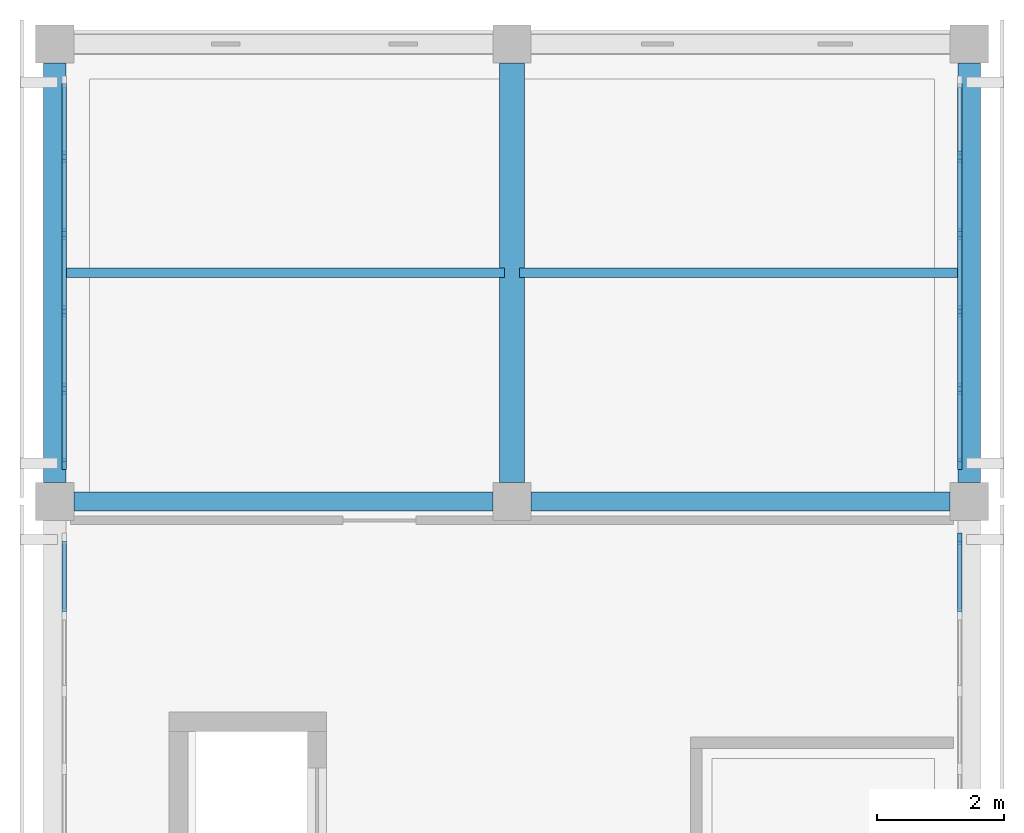
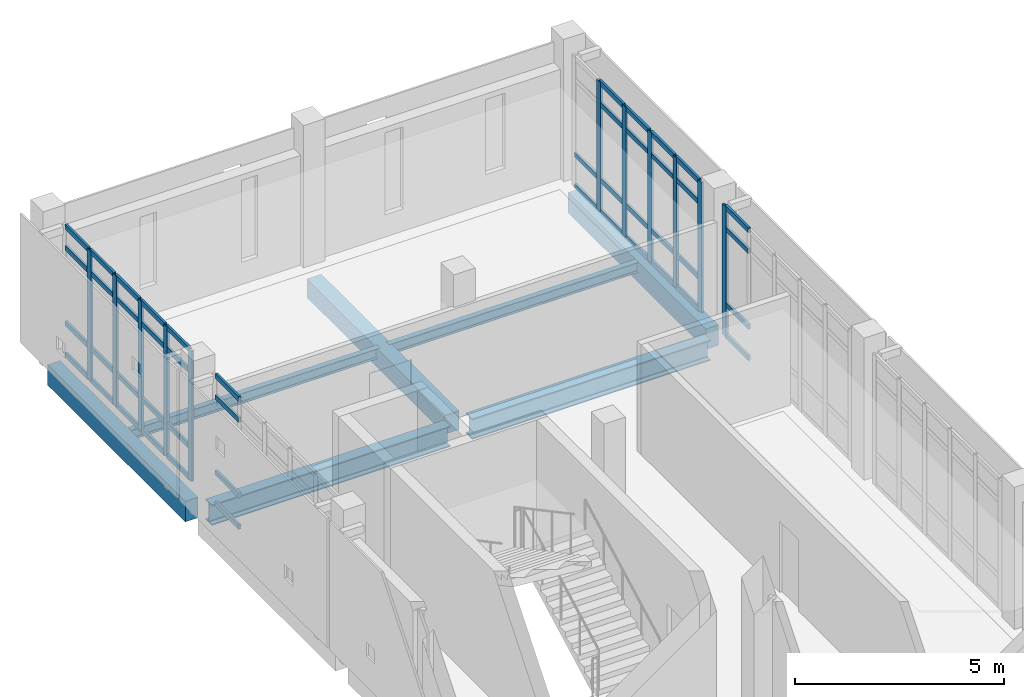
# One storey, part 9 of 21: 57 members, 7 beams, 4 elements without a shape of their own.
"""IFC4 building model written with IfcOpenShell, lengths in metres."""

from ifc_helpers import new_model, si_unit, direction, frame, origin, origin_2d, place, context, subcontext, project, spatial, rectangle, i_section, extrude, material, layer, layer_set, material_profile, profile_set, type_object, element, aggregate, save


model = new_model("IFC4")

# Units and contexts
model_context = context("Model", 3, precision=1e-05, world=origin(), true_north=direction((0.0, 1.0)))
body_context = subcontext(model_context, "Body", "Model", "MODEL_VIEW")
ifc_project = project(units=[si_unit("LENGTHUNIT", "METRE"), si_unit("AREAUNIT", "SQUARE_METRE"), si_unit("VOLUMEUNIT", "CUBIC_METRE"), si_unit("PLANEANGLEUNIT", "RADIAN"), si_unit("MASSUNIT", "GRAM", prefix="KILO")], contexts=[model_context])

# Site, building, storey
site_placement = place(None, origin())
site = spatial("IfcSite", under=ifc_project, at=site_placement, CompositionType="ELEMENT")
building_placement = place(site_placement, origin())
building = spatial("IfcBuilding", under=site, at=building_placement, Name="Valkovuoma Quantum and Materials Research Institute", CompositionType="ELEMENT")
storey_placement = place(building_placement, frame((0.0, 0.0, 33.919921875)))
storey = spatial("IfcBuildingStorey", under=building, at=storey_placement, Name="L08", CompositionType="ELEMENT", Elevation=33.919921875)

# Beams
ifc_material_1 = material(Name="Steel S355J2", Category="steel")
ifc_material_profile_1 = material_profile(ifc_material_1, i_section(OverallWidth=0.300048828125, OverallDepth=0.60009765625, WebThickness=0.015380859375, FlangeThickness=0.030029296875, FilletRadius=0.027099609375, at=origin_2d()), Name="Steel S355J2")
ifc_profile_set_1 = profile_set([ifc_material_profile_1], Name="Steel S355J2")
beam_type_1 = type_object("IfcBeamType", Name="Beam-B-HEB600", PredefinedType="BEAM", material=ifc_profile_set_1)
beam_1_placement = place(storey_placement, frame((0.300048828125, 86.39990234375, -0.64990234375), z_axis=(1.0, 0.0, 0.0), x_axis=(0.0, 1.0, 0.0)))
element("IfcBeam", 1, at=beam_1_placement, inside=storey, type_object=beam_type_1, Name="L08 beam X-2544", PredefinedType="BEAM", context=body_context, shape_type="SweptSolid", body=[
    extrude(i_section(OverallWidth=0.300048828125, OverallDepth=0.60009765625, WebThickness=0.015380859375, FlangeThickness=0.030029296875, FilletRadius=0.027099609375, at=origin_2d()), origin(), (0.0, 0.0, 1.0), 6.599853515625),
])
beam_2_placement = place(storey_placement, frame((7.5, 86.39990234375, -0.64990234375), z_axis=(1.0, 0.0, 0.0), x_axis=(0.0, 1.0, 0.0)))
element("IfcBeam", 2, at=beam_2_placement, inside=storey, type_object=beam_type_1, Name="L08 beam X-2545", PredefinedType="BEAM", context=body_context, shape_type="SweptSolid", body=[
    extrude(i_section(OverallWidth=0.300048828125, OverallDepth=0.60009765625, WebThickness=0.015380859375, FlangeThickness=0.030029296875, FilletRadius=0.027099609375, at=origin_2d()), origin(), (0.0, 0.0, 1.0), 6.60009765625),
])
ifc_material_2 = material(Name="Steel S355J2", Category="steel")
ifc_material_profile_2 = material_profile(ifc_material_2, i_section(OverallWidth=0.14990234375, OverallDepth=0.300048828125, WebThickness=0.007080078125, FlangeThickness=0.0107421875, FilletRadius=0.014892578125, at=origin_2d()), Name="Steel S355J2")
ifc_profile_set_2 = profile_set([ifc_material_profile_2], Name="Steel S355J2")
beam_type_2 = type_object("IfcBeamType", Name="Beam-B-JST300", PredefinedType="JOIST", material=ifc_profile_set_2)
for number, where, z_axis, x_axis, name in (
    (3, (0.1201171875, 90.0, -0.5), (1.0, 0.0, 0.0), (0.0, 1.0, 0.0), "L08 floor joist 2570"),
    (4, (7.320068359375, 90.0, -0.5), (1.0, 0.0, 0.0), (0.0, 1.0, 0.0), "L08 floor joist 2571"),
):
    element("IfcBeam", number, at=place(storey_placement, frame(where, z_axis=z_axis, x_axis=x_axis)), inside=storey, type_object=beam_type_2, Name=name, PredefinedType="JOIST", context=body_context, shape_type="SweptSolid", body=[
        extrude(i_section(OverallWidth=0.14990234375, OverallDepth=0.300048828125, WebThickness=0.007080078125, FlangeThickness=0.0107421875, FilletRadius=0.014892578125, at=origin_2d()), origin(), (0.0, 0.0, 1.0), 6.9599609375),
    ])
ifc_material_3 = material(Name="Concrete C40/50", Category="concrete")
ifc_material_profile_3 = material_profile(ifc_material_3, rectangle(XDim=0.39990234375, YDim=0.550048828125, at=origin_2d()), Name="Concrete C40/50")
ifc_profile_set_3 = profile_set([ifc_material_profile_3], Name="Concrete C40/50")
beam_type_3 = type_object("IfcBeamType", Name="Beam-B-RC550", PredefinedType="BEAM", material=ifc_profile_set_3)
beam_3_placement = place(storey_placement, frame((7.199951171875, 86.699951171875, -0.625), z_axis=(0.0, 1.0, 0.0), x_axis=(-1.0, 0.0, 0.0)))
element("IfcBeam", 5, at=beam_3_placement, inside=storey, type_object=beam_type_3, Name="L08 beam Y-2555", PredefinedType="BEAM", context=body_context, shape_type="SweptSolid", body=[
    extrude(rectangle(XDim=0.39990234375, YDim=0.550048828125, at=origin_2d()), origin(), (0.0, 0.0, 1.0), 6.60009765625),
])
ifc_material_4 = material(Name="Concrete C40/50", Category="concrete")
ifc_material_profile_4 = material_profile(ifc_material_4, rectangle(XDim=0.35009765625, YDim=0.60009765625, at=origin_2d()), Name="Concrete C40/50")
ifc_profile_set_4 = profile_set([ifc_material_profile_4], Name="Concrete C40/50")
beam_type_4 = type_object("IfcBeamType", Name="Beam-B-SPN600", PredefinedType="SPANDREL", material=ifc_profile_set_4)
for number, where, z_axis, x_axis, name in (
    (6, (0.0, 86.699951171875, -0.64990234375), (0.0, 1.0, 0.0), (-1.0, 0.0, 0.0), "L08 beam Y-2552"),
    (7, (14.39990234375, 86.699951171875, -0.64990234375), (0.0, 1.0, 0.0), (-1.0, 0.0, 0.0), "L08 beam Y-2560"),
):
    element("IfcBeam", number, at=place(storey_placement, frame(where, z_axis=z_axis, x_axis=x_axis)), inside=storey, type_object=beam_type_4, Name=name, PredefinedType="SPANDREL", context=body_context, shape_type="SweptSolid", body=[
        extrude(rectangle(XDim=0.35009765625, YDim=0.60009765625, at=origin_2d()), origin(), (0.0, 0.0, 1.0), 6.60009765625),
    ])

# Curtain wall, member
ifc_material_5 = material(Name="Thermally broken aluminium and triple low-E glazing", Category="aluminium")
ifc_layer = layer(ifc_material_5, 0.219970703125)
ifc_layer_set = layer_set([ifc_layer], Name="Thermally broken aluminium and triple low-E glazing")
curtain_wall_type = type_object("IfcCurtainWallType", Name="CW-CW-01", PredefinedType="NOTDEFINED", material=ifc_layer_set)
curtain_wall_1_placement = place(storey_placement, origin())
curtain_wall_1 = element("IfcCurtainWall", 8, at=curtain_wall_1_placement, inside=storey, type_object=curtain_wall_type, Name="L08 curtain wall 124", PredefinedType="NOTDEFINED")
ifc_material_6 = material(Name="Anodised aluminium 6060-T66", Category="aluminium")
ifc_material_profile_5 = material_profile(ifc_material_6, rectangle(XDim=0.06494140625, YDim=0.179931640625, at=origin_2d()), Name="Anodised aluminium 6060-T66")
ifc_profile_set_5 = profile_set([ifc_material_profile_5], Name="Anodised aluminium 6060-T66")
member_type_1 = type_object("IfcMemberType", Name="CWMull-CWM-01", PredefinedType="MULLION", material=ifc_profile_set_5)
member_1_placement = place(storey_placement, frame((14.25, 85.810302734375, 0.0), z_axis=(0.0, 0.0, 1.0), x_axis=(-1.0, 0.0, 0.0)))
member_1 = element("IfcMember", 9, at=member_1_placement, type_object=member_type_1, Name="CW-01 mullion 6", PredefinedType="MULLION", context=body_context, shape_type="SweptSolid", body=[
    extrude(rectangle(XDim=0.06494140625, YDim=0.179931640625, at=origin_2d()), origin(), (0.0, 0.0, 1.0), 3.81005859375),
])

# Curtain wall, members
curtain_wall_2_placement = place(storey_placement, origin())
curtain_wall_2 = element("IfcCurtainWall", 10, at=curtain_wall_2_placement, inside=storey, type_object=curtain_wall_type, Name="L08 curtain wall 125", PredefinedType="NOTDEFINED")
member_2_placement = place(storey_placement, frame((0.14990234375, 86.989501953125, 0.0), z_axis=(0.0, 0.0, 1.0), x_axis=(-1.0, 0.0, 0.0)))
member_2 = element("IfcMember", 11, at=member_2_placement, type_object=member_type_1, Name="CW-01 mullion 1", PredefinedType="MULLION", context=body_context, shape_type="SweptSolid", body=[
    extrude(rectangle(XDim=0.06494140625, YDim=0.179931640625, at=origin_2d()), origin(), (0.0, 0.0, 1.0), 3.81005859375),
])
member_3_placement = place(storey_placement, frame((0.14990234375, 88.17431640625, 0.0), z_axis=(0.0, 0.0, 1.0), x_axis=(-1.0, 0.0, 0.0)))
member_3 = element("IfcMember", 12, at=member_3_placement, type_object=member_type_1, Name="CW-01 mullion 2", PredefinedType="MULLION", context=body_context, shape_type="SweptSolid", body=[
    extrude(rectangle(XDim=0.06494140625, YDim=0.179931640625, at=origin_2d()), origin(), (0.0, 0.0, 1.0), 3.81005859375),
])
member_4_placement = place(storey_placement, frame((0.14990234375, 89.391357421875, 0.0), z_axis=(0.0, 0.0, 1.0), x_axis=(-1.0, 0.0, 0.0)))
member_4 = element("IfcMember", 13, at=member_4_placement, type_object=member_type_1, Name="CW-01 mullion 3", PredefinedType="MULLION", context=body_context, shape_type="SweptSolid", body=[
    extrude(rectangle(XDim=0.06494140625, YDim=0.179931640625, at=origin_2d()), origin(), (0.0, 0.0, 1.0), 3.81005859375),
])
member_5_placement = place(storey_placement, frame((0.14990234375, 90.608642578125, 0.0), z_axis=(0.0, 0.0, 1.0), x_axis=(-1.0, 0.0, 0.0)))
member_5 = element("IfcMember", 14, at=member_5_placement, type_object=member_type_1, Name="CW-01 mullion 4", PredefinedType="MULLION", context=body_context, shape_type="SweptSolid", body=[
    extrude(rectangle(XDim=0.06494140625, YDim=0.179931640625, at=origin_2d()), origin(), (0.0, 0.0, 1.0), 3.81005859375),
])
member_6_placement = place(storey_placement, frame((0.14990234375, 91.82568359375, 0.0), z_axis=(0.0, 0.0, 1.0), x_axis=(-1.0, 0.0, 0.0)))
member_6 = element("IfcMember", 15, at=member_6_placement, type_object=member_type_1, Name="CW-01 mullion 5", PredefinedType="MULLION", context=body_context, shape_type="SweptSolid", body=[
    extrude(rectangle(XDim=0.06494140625, YDim=0.179931640625, at=origin_2d()), origin(), (0.0, 0.0, 1.0), 3.81005859375),
])

curtain_wall_3_placement = place(storey_placement, origin())
curtain_wall_3 = element("IfcCurtainWall", 16, at=curtain_wall_3_placement, inside=storey, type_object=curtain_wall_type, Name="L08 curtain wall 126", PredefinedType="NOTDEFINED")
member_7_placement = place(storey_placement, frame((14.25, 86.989501953125, 0.0), z_axis=(0.0, 0.0, 1.0), x_axis=(-1.0, 0.0, 0.0)))
member_7 = element("IfcMember", 17, at=member_7_placement, type_object=member_type_1, Name="CW-01 mullion 1", PredefinedType="MULLION", context=body_context, shape_type="SweptSolid", body=[
    extrude(rectangle(XDim=0.06494140625, YDim=0.179931640625, at=origin_2d()), origin(), (0.0, 0.0, 1.0), 3.81005859375),
])
member_8_placement = place(storey_placement, frame((14.25, 88.17431640625, 0.0), z_axis=(0.0, 0.0, 1.0), x_axis=(-1.0, 0.0, 0.0)))
member_8 = element("IfcMember", 18, at=member_8_placement, type_object=member_type_1, Name="CW-01 mullion 2", PredefinedType="MULLION", context=body_context, shape_type="SweptSolid", body=[
    extrude(rectangle(XDim=0.06494140625, YDim=0.179931640625, at=origin_2d()), origin(), (0.0, 0.0, 1.0), 3.81005859375),
])
member_9_placement = place(storey_placement, frame((14.25, 89.391357421875, 0.0), z_axis=(0.0, 0.0, 1.0), x_axis=(-1.0, 0.0, 0.0)))
member_9 = element("IfcMember", 19, at=member_9_placement, type_object=member_type_1, Name="CW-01 mullion 3", PredefinedType="MULLION", context=body_context, shape_type="SweptSolid", body=[
    extrude(rectangle(XDim=0.06494140625, YDim=0.179931640625, at=origin_2d()), origin(), (0.0, 0.0, 1.0), 3.81005859375),
])
member_10_placement = place(storey_placement, frame((14.25, 90.608642578125, 0.0), z_axis=(0.0, 0.0, 1.0), x_axis=(-1.0, 0.0, 0.0)))
member_10 = element("IfcMember", 20, at=member_10_placement, type_object=member_type_1, Name="CW-01 mullion 4", PredefinedType="MULLION", context=body_context, shape_type="SweptSolid", body=[
    extrude(rectangle(XDim=0.06494140625, YDim=0.179931640625, at=origin_2d()), origin(), (0.0, 0.0, 1.0), 3.81005859375),
])
member_11_placement = place(storey_placement, frame((14.25, 91.82568359375, 0.0), z_axis=(0.0, 0.0, 1.0), x_axis=(-1.0, 0.0, 0.0)))
member_11 = element("IfcMember", 21, at=member_11_placement, type_object=member_type_1, Name="CW-01 mullion 5", PredefinedType="MULLION", context=body_context, shape_type="SweptSolid", body=[
    extrude(rectangle(XDim=0.06494140625, YDim=0.179931640625, at=origin_2d()), origin(), (0.0, 0.0, 1.0), 3.81005859375),
])

curtain_wall_4_placement = place(storey_placement, origin())
curtain_wall_4 = element("IfcCurtainWall", 22, at=curtain_wall_4_placement, inside=storey, type_object=curtain_wall_type, Name="L08 curtain wall 123", PredefinedType="NOTDEFINED")
ifc_material_7 = material(Name="Anodised aluminium 6060-T66", Category="aluminium")
ifc_material_profile_6 = material_profile(ifc_material_7, rectangle(XDim=0.06494140625, YDim=0.139892578125, at=origin_2d()), Name="Anodised aluminium 6060-T66")
ifc_profile_set_6 = profile_set([ifc_material_profile_6], Name="Anodised aluminium 6060-T66")
member_type_2 = type_object("IfcMemberType", Name="CWTran-CWT-01", PredefinedType="USERDEFINED", material=ifc_profile_set_6)
member_12_placement = place(storey_placement, frame((0.14990234375, 84.658203125, 0.032470703125), z_axis=(0.0, 1.0, 0.0), x_axis=(-1.0, 0.0, 0.0)))
member_12 = element("IfcMember", 23, at=member_12_placement, type_object=member_type_2, Name="CW-01 transom 5.1", ObjectType="TRANSOM", PredefinedType="USERDEFINED", context=body_context, shape_type="SweptSolid", body=[
    extrude(rectangle(XDim=0.06494140625, YDim=0.139892578125, at=origin_2d()), origin(), (0.0, 0.0, 1.0), 1.11962890625),
])
member_13_placement = place(storey_placement, frame((0.14990234375, 84.658203125, 0.9501953125), z_axis=(0.0, 1.0, 0.0), x_axis=(-1.0, 0.0, 0.0)))
member_13 = element("IfcMember", 24, at=member_13_placement, type_object=member_type_2, Name="CW-01 transom 5.2", ObjectType="TRANSOM", PredefinedType="USERDEFINED", context=body_context, shape_type="SweptSolid", body=[
    extrude(rectangle(XDim=0.06494140625, YDim=0.139892578125, at=origin_2d()), origin(), (0.0, 0.0, 1.0), 1.11962890625),
])
member_14_placement = place(storey_placement, frame((0.14990234375, 84.658203125, 3.16015625), z_axis=(0.0, 1.0, 0.0), x_axis=(-1.0, 0.0, 0.0)))
member_14 = element("IfcMember", 25, at=member_14_placement, type_object=member_type_2, Name="CW-01 transom 5.3", ObjectType="TRANSOM", PredefinedType="USERDEFINED", context=body_context, shape_type="SweptSolid", body=[
    extrude(rectangle(XDim=0.06494140625, YDim=0.139892578125, at=origin_2d()), origin(), (0.0, 0.0, 1.0), 1.11962890625),
])
member_15_placement = place(storey_placement, frame((0.14990234375, 84.658203125, 3.777587890625), z_axis=(0.0, 1.0, 0.0), x_axis=(-1.0, 0.0, 0.0)))
member_15 = element("IfcMember", 26, at=member_15_placement, type_object=member_type_2, Name="CW-01 transom 5.4", ObjectType="TRANSOM", PredefinedType="USERDEFINED", context=body_context, shape_type="SweptSolid", body=[
    extrude(rectangle(XDim=0.06494140625, YDim=0.139892578125, at=origin_2d()), origin(), (0.0, 0.0, 1.0), 1.11962890625),
])
aggregate(curtain_wall_4, [member_12, member_13, member_14, member_15])

# Member
member_16_placement = place(storey_placement, frame((14.25, 84.658203125, 0.032470703125), z_axis=(0.0, 1.0, 0.0), x_axis=(-1.0, 0.0, 0.0)))
member_16 = element("IfcMember", 27, at=member_16_placement, type_object=member_type_2, Name="CW-01 transom 5.1", ObjectType="TRANSOM", PredefinedType="USERDEFINED", context=body_context, shape_type="SweptSolid", body=[
    extrude(rectangle(XDim=0.06494140625, YDim=0.139892578125, at=origin_2d()), origin(), (0.0, 0.0, 1.0), 1.11962890625),
])

member_17_placement = place(storey_placement, frame((14.25, 84.658203125, 0.9501953125), z_axis=(0.0, 1.0, 0.0), x_axis=(-1.0, 0.0, 0.0)))
member_17 = element("IfcMember", 28, at=member_17_placement, type_object=member_type_2, Name="CW-01 transom 5.2", ObjectType="TRANSOM", PredefinedType="USERDEFINED", context=body_context, shape_type="SweptSolid", body=[
    extrude(rectangle(XDim=0.06494140625, YDim=0.139892578125, at=origin_2d()), origin(), (0.0, 0.0, 1.0), 1.11962890625),
])

member_18_placement = place(storey_placement, frame((14.25, 84.658203125, 3.16015625), z_axis=(0.0, 1.0, 0.0), x_axis=(-1.0, 0.0, 0.0)))
member_18 = element("IfcMember", 29, at=member_18_placement, type_object=member_type_2, Name="CW-01 transom 5.3", ObjectType="TRANSOM", PredefinedType="USERDEFINED", context=body_context, shape_type="SweptSolid", body=[
    extrude(rectangle(XDim=0.06494140625, YDim=0.139892578125, at=origin_2d()), origin(), (0.0, 0.0, 1.0), 1.11962890625),
])

member_19_placement = place(storey_placement, frame((14.25, 84.658203125, 3.777587890625), z_axis=(0.0, 1.0, 0.0), x_axis=(-1.0, 0.0, 0.0)))
member_19 = element("IfcMember", 30, at=member_19_placement, type_object=member_type_2, Name="CW-01 transom 5.4", ObjectType="TRANSOM", PredefinedType="USERDEFINED", context=body_context, shape_type="SweptSolid", body=[
    extrude(rectangle(XDim=0.06494140625, YDim=0.139892578125, at=origin_2d()), origin(), (0.0, 0.0, 1.0), 1.11962890625),
])

aggregate(curtain_wall_1, [member_1, member_16, member_17, member_18, member_19])

member_20_placement = place(storey_placement, frame((0.14990234375, 87.022216796875, 0.032470703125), z_axis=(0.0, 1.0, 0.0), x_axis=(-1.0, 0.0, 0.0)))
member_20 = element("IfcMember", 31, at=member_20_placement, type_object=member_type_2, Name="CW-01 transom 1.1", ObjectType="TRANSOM", PredefinedType="USERDEFINED", context=body_context, shape_type="SweptSolid", body=[
    extrude(rectangle(XDim=0.06494140625, YDim=0.139892578125, at=origin_2d()), origin(), (0.0, 0.0, 1.0), 1.11962890625),
])

member_21_placement = place(storey_placement, frame((0.14990234375, 87.022216796875, 0.9501953125), z_axis=(0.0, 1.0, 0.0), x_axis=(-1.0, 0.0, 0.0)))
member_21 = element("IfcMember", 32, at=member_21_placement, type_object=member_type_2, Name="CW-01 transom 1.2", ObjectType="TRANSOM", PredefinedType="USERDEFINED", context=body_context, shape_type="SweptSolid", body=[
    extrude(rectangle(XDim=0.06494140625, YDim=0.139892578125, at=origin_2d()), origin(), (0.0, 0.0, 1.0), 1.11962890625),
])

member_22_placement = place(storey_placement, frame((0.14990234375, 87.022216796875, 3.16015625), z_axis=(0.0, 1.0, 0.0), x_axis=(-1.0, 0.0, 0.0)))
member_22 = element("IfcMember", 33, at=member_22_placement, type_object=member_type_2, Name="CW-01 transom 1.3", ObjectType="TRANSOM", PredefinedType="USERDEFINED", context=body_context, shape_type="SweptSolid", body=[
    extrude(rectangle(XDim=0.06494140625, YDim=0.139892578125, at=origin_2d()), origin(), (0.0, 0.0, 1.0), 1.11962890625),
])

member_23_placement = place(storey_placement, frame((0.14990234375, 87.022216796875, 3.777587890625), z_axis=(0.0, 1.0, 0.0), x_axis=(-1.0, 0.0, 0.0)))
member_23 = element("IfcMember", 34, at=member_23_placement, type_object=member_type_2, Name="CW-01 transom 1.4", ObjectType="TRANSOM", PredefinedType="USERDEFINED", context=body_context, shape_type="SweptSolid", body=[
    extrude(rectangle(XDim=0.06494140625, YDim=0.139892578125, at=origin_2d()), origin(), (0.0, 0.0, 1.0), 1.11962890625),
])

member_24_placement = place(storey_placement, frame((0.14990234375, 88.206787109375, 0.032470703125), z_axis=(0.0, 1.0, 0.0), x_axis=(-1.0, 0.0, 0.0)))
member_24 = element("IfcMember", 35, at=member_24_placement, type_object=member_type_2, Name="CW-01 transom 2.1", ObjectType="TRANSOM", PredefinedType="USERDEFINED", context=body_context, shape_type="SweptSolid", body=[
    extrude(rectangle(XDim=0.06494140625, YDim=0.139892578125, at=origin_2d()), origin(), (0.0, 0.0, 1.0), 1.152099609375),
])

member_25_placement = place(storey_placement, frame((0.14990234375, 88.206787109375, 0.9501953125), z_axis=(0.0, 1.0, 0.0), x_axis=(-1.0, 0.0, 0.0)))
member_25 = element("IfcMember", 36, at=member_25_placement, type_object=member_type_2, Name="CW-01 transom 2.2", ObjectType="TRANSOM", PredefinedType="USERDEFINED", context=body_context, shape_type="SweptSolid", body=[
    extrude(rectangle(XDim=0.06494140625, YDim=0.139892578125, at=origin_2d()), origin(), (0.0, 0.0, 1.0), 1.152099609375),
])

member_26_placement = place(storey_placement, frame((0.14990234375, 88.206787109375, 3.16015625), z_axis=(0.0, 1.0, 0.0), x_axis=(-1.0, 0.0, 0.0)))
member_26 = element("IfcMember", 37, at=member_26_placement, type_object=member_type_2, Name="CW-01 transom 2.3", ObjectType="TRANSOM", PredefinedType="USERDEFINED", context=body_context, shape_type="SweptSolid", body=[
    extrude(rectangle(XDim=0.06494140625, YDim=0.139892578125, at=origin_2d()), origin(), (0.0, 0.0, 1.0), 1.152099609375),
])

member_27_placement = place(storey_placement, frame((0.14990234375, 88.206787109375, 3.777587890625), z_axis=(0.0, 1.0, 0.0), x_axis=(-1.0, 0.0, 0.0)))
member_27 = element("IfcMember", 38, at=member_27_placement, type_object=member_type_2, Name="CW-01 transom 2.4", ObjectType="TRANSOM", PredefinedType="USERDEFINED", context=body_context, shape_type="SweptSolid", body=[
    extrude(rectangle(XDim=0.06494140625, YDim=0.139892578125, at=origin_2d()), origin(), (0.0, 0.0, 1.0), 1.152099609375),
])

member_28_placement = place(storey_placement, frame((0.14990234375, 89.423828125, 0.032470703125), z_axis=(0.0, 1.0, 0.0), x_axis=(-1.0, 0.0, 0.0)))
member_28 = element("IfcMember", 39, at=member_28_placement, type_object=member_type_2, Name="CW-01 transom 3.1", ObjectType="TRANSOM", PredefinedType="USERDEFINED", context=body_context, shape_type="SweptSolid", body=[
    extrude(rectangle(XDim=0.06494140625, YDim=0.139892578125, at=origin_2d()), origin(), (0.0, 0.0, 1.0), 1.15234375),
])

member_29_placement = place(storey_placement, frame((0.14990234375, 89.423828125, 0.9501953125), z_axis=(0.0, 1.0, 0.0), x_axis=(-1.0, 0.0, 0.0)))
member_29 = element("IfcMember", 40, at=member_29_placement, type_object=member_type_2, Name="CW-01 transom 3.2", ObjectType="TRANSOM", PredefinedType="USERDEFINED", context=body_context, shape_type="SweptSolid", body=[
    extrude(rectangle(XDim=0.06494140625, YDim=0.139892578125, at=origin_2d()), origin(), (0.0, 0.0, 1.0), 1.15234375),
])

member_30_placement = place(storey_placement, frame((0.14990234375, 89.423828125, 3.16015625), z_axis=(0.0, 1.0, 0.0), x_axis=(-1.0, 0.0, 0.0)))
member_30 = element("IfcMember", 41, at=member_30_placement, type_object=member_type_2, Name="CW-01 transom 3.3", ObjectType="TRANSOM", PredefinedType="USERDEFINED", context=body_context, shape_type="SweptSolid", body=[
    extrude(rectangle(XDim=0.06494140625, YDim=0.139892578125, at=origin_2d()), origin(), (0.0, 0.0, 1.0), 1.15234375),
])

member_31_placement = place(storey_placement, frame((0.14990234375, 89.423828125, 3.777587890625), z_axis=(0.0, 1.0, 0.0), x_axis=(-1.0, 0.0, 0.0)))
member_31 = element("IfcMember", 42, at=member_31_placement, type_object=member_type_2, Name="CW-01 transom 3.4", ObjectType="TRANSOM", PredefinedType="USERDEFINED", context=body_context, shape_type="SweptSolid", body=[
    extrude(rectangle(XDim=0.06494140625, YDim=0.139892578125, at=origin_2d()), origin(), (0.0, 0.0, 1.0), 1.15234375),
])

member_32_placement = place(storey_placement, frame((0.14990234375, 90.64111328125, 0.032470703125), z_axis=(0.0, 1.0, 0.0), x_axis=(-1.0, 0.0, 0.0)))
member_32 = element("IfcMember", 43, at=member_32_placement, type_object=member_type_2, Name="CW-01 transom 4.1", ObjectType="TRANSOM", PredefinedType="USERDEFINED", context=body_context, shape_type="SweptSolid", body=[
    extrude(rectangle(XDim=0.06494140625, YDim=0.139892578125, at=origin_2d()), origin(), (0.0, 0.0, 1.0), 1.152099609375),
])

member_33_placement = place(storey_placement, frame((0.14990234375, 90.64111328125, 0.9501953125), z_axis=(0.0, 1.0, 0.0), x_axis=(-1.0, 0.0, 0.0)))
member_33 = element("IfcMember", 44, at=member_33_placement, type_object=member_type_2, Name="CW-01 transom 4.2", ObjectType="TRANSOM", PredefinedType="USERDEFINED", context=body_context, shape_type="SweptSolid", body=[
    extrude(rectangle(XDim=0.06494140625, YDim=0.139892578125, at=origin_2d()), origin(), (0.0, 0.0, 1.0), 1.152099609375),
])

member_34_placement = place(storey_placement, frame((0.14990234375, 90.64111328125, 3.16015625), z_axis=(0.0, 1.0, 0.0), x_axis=(-1.0, 0.0, 0.0)))
member_34 = element("IfcMember", 45, at=member_34_placement, type_object=member_type_2, Name="CW-01 transom 4.3", ObjectType="TRANSOM", PredefinedType="USERDEFINED", context=body_context, shape_type="SweptSolid", body=[
    extrude(rectangle(XDim=0.06494140625, YDim=0.139892578125, at=origin_2d()), origin(), (0.0, 0.0, 1.0), 1.152099609375),
])

member_35_placement = place(storey_placement, frame((0.14990234375, 90.64111328125, 3.777587890625), z_axis=(0.0, 1.0, 0.0), x_axis=(-1.0, 0.0, 0.0)))
member_35 = element("IfcMember", 46, at=member_35_placement, type_object=member_type_2, Name="CW-01 transom 4.4", ObjectType="TRANSOM", PredefinedType="USERDEFINED", context=body_context, shape_type="SweptSolid", body=[
    extrude(rectangle(XDim=0.06494140625, YDim=0.139892578125, at=origin_2d()), origin(), (0.0, 0.0, 1.0), 1.152099609375),
])

member_36_placement = place(storey_placement, frame((0.14990234375, 91.858154296875, 0.032470703125), z_axis=(0.0, 1.0, 0.0), x_axis=(-1.0, 0.0, 0.0)))
member_36 = element("IfcMember", 47, at=member_36_placement, type_object=member_type_2, Name="CW-01 transom 5.1", ObjectType="TRANSOM", PredefinedType="USERDEFINED", context=body_context, shape_type="SweptSolid", body=[
    extrude(rectangle(XDim=0.06494140625, YDim=0.139892578125, at=origin_2d()), origin(), (0.0, 0.0, 1.0), 1.11962890625),
])

member_37_placement = place(storey_placement, frame((0.14990234375, 91.858154296875, 0.9501953125), z_axis=(0.0, 1.0, 0.0), x_axis=(-1.0, 0.0, 0.0)))
member_37 = element("IfcMember", 48, at=member_37_placement, type_object=member_type_2, Name="CW-01 transom 5.2", ObjectType="TRANSOM", PredefinedType="USERDEFINED", context=body_context, shape_type="SweptSolid", body=[
    extrude(rectangle(XDim=0.06494140625, YDim=0.139892578125, at=origin_2d()), origin(), (0.0, 0.0, 1.0), 1.11962890625),
])

member_38_placement = place(storey_placement, frame((0.14990234375, 91.858154296875, 3.16015625), z_axis=(0.0, 1.0, 0.0), x_axis=(-1.0, 0.0, 0.0)))
member_38 = element("IfcMember", 49, at=member_38_placement, type_object=member_type_2, Name="CW-01 transom 5.3", ObjectType="TRANSOM", PredefinedType="USERDEFINED", context=body_context, shape_type="SweptSolid", body=[
    extrude(rectangle(XDim=0.06494140625, YDim=0.139892578125, at=origin_2d()), origin(), (0.0, 0.0, 1.0), 1.11962890625),
])

member_39_placement = place(storey_placement, frame((0.14990234375, 91.858154296875, 3.777587890625), z_axis=(0.0, 1.0, 0.0), x_axis=(-1.0, 0.0, 0.0)))
member_39 = element("IfcMember", 50, at=member_39_placement, type_object=member_type_2, Name="CW-01 transom 5.4", ObjectType="TRANSOM", PredefinedType="USERDEFINED", context=body_context, shape_type="SweptSolid", body=[
    extrude(rectangle(XDim=0.06494140625, YDim=0.139892578125, at=origin_2d()), origin(), (0.0, 0.0, 1.0), 1.11962890625),
])

aggregate(curtain_wall_2, [member_2, member_3, member_4, member_5, member_6, member_20, member_21, member_22, member_23, member_24, member_25, member_26, member_27, member_28, member_29, member_30, member_31, member_32, member_33, member_34, member_35, member_36, member_37, member_38, member_39])

member_40_placement = place(storey_placement, frame((14.25, 87.022216796875, 0.032470703125), z_axis=(0.0, 1.0, 0.0), x_axis=(-1.0, 0.0, 0.0)))
member_40 = element("IfcMember", 51, at=member_40_placement, type_object=member_type_2, Name="CW-01 transom 1.1", ObjectType="TRANSOM", PredefinedType="USERDEFINED", context=body_context, shape_type="SweptSolid", body=[
    extrude(rectangle(XDim=0.06494140625, YDim=0.139892578125, at=origin_2d()), origin(), (0.0, 0.0, 1.0), 1.11962890625),
])

member_41_placement = place(storey_placement, frame((14.25, 87.022216796875, 0.9501953125), z_axis=(0.0, 1.0, 0.0), x_axis=(-1.0, 0.0, 0.0)))
member_41 = element("IfcMember", 52, at=member_41_placement, type_object=member_type_2, Name="CW-01 transom 1.2", ObjectType="TRANSOM", PredefinedType="USERDEFINED", context=body_context, shape_type="SweptSolid", body=[
    extrude(rectangle(XDim=0.06494140625, YDim=0.139892578125, at=origin_2d()), origin(), (0.0, 0.0, 1.0), 1.11962890625),
])

member_42_placement = place(storey_placement, frame((14.25, 87.022216796875, 3.16015625), z_axis=(0.0, 1.0, 0.0), x_axis=(-1.0, 0.0, 0.0)))
member_42 = element("IfcMember", 53, at=member_42_placement, type_object=member_type_2, Name="CW-01 transom 1.3", ObjectType="TRANSOM", PredefinedType="USERDEFINED", context=body_context, shape_type="SweptSolid", body=[
    extrude(rectangle(XDim=0.06494140625, YDim=0.139892578125, at=origin_2d()), origin(), (0.0, 0.0, 1.0), 1.11962890625),
])

member_43_placement = place(storey_placement, frame((14.25, 87.022216796875, 3.777587890625), z_axis=(0.0, 1.0, 0.0), x_axis=(-1.0, 0.0, 0.0)))
member_43 = element("IfcMember", 54, at=member_43_placement, type_object=member_type_2, Name="CW-01 transom 1.4", ObjectType="TRANSOM", PredefinedType="USERDEFINED", context=body_context, shape_type="SweptSolid", body=[
    extrude(rectangle(XDim=0.06494140625, YDim=0.139892578125, at=origin_2d()), origin(), (0.0, 0.0, 1.0), 1.11962890625),
])

member_44_placement = place(storey_placement, frame((14.25, 88.206787109375, 0.032470703125), z_axis=(0.0, 1.0, 0.0), x_axis=(-1.0, 0.0, 0.0)))
member_44 = element("IfcMember", 55, at=member_44_placement, type_object=member_type_2, Name="CW-01 transom 2.1", ObjectType="TRANSOM", PredefinedType="USERDEFINED", context=body_context, shape_type="SweptSolid", body=[
    extrude(rectangle(XDim=0.06494140625, YDim=0.139892578125, at=origin_2d()), origin(), (0.0, 0.0, 1.0), 1.152099609375),
])

member_45_placement = place(storey_placement, frame((14.25, 88.206787109375, 0.9501953125), z_axis=(0.0, 1.0, 0.0), x_axis=(-1.0, 0.0, 0.0)))
member_45 = element("IfcMember", 56, at=member_45_placement, type_object=member_type_2, Name="CW-01 transom 2.2", ObjectType="TRANSOM", PredefinedType="USERDEFINED", context=body_context, shape_type="SweptSolid", body=[
    extrude(rectangle(XDim=0.06494140625, YDim=0.139892578125, at=origin_2d()), origin(), (0.0, 0.0, 1.0), 1.152099609375),
])

member_46_placement = place(storey_placement, frame((14.25, 88.206787109375, 3.16015625), z_axis=(0.0, 1.0, 0.0), x_axis=(-1.0, 0.0, 0.0)))
member_46 = element("IfcMember", 57, at=member_46_placement, type_object=member_type_2, Name="CW-01 transom 2.3", ObjectType="TRANSOM", PredefinedType="USERDEFINED", context=body_context, shape_type="SweptSolid", body=[
    extrude(rectangle(XDim=0.06494140625, YDim=0.139892578125, at=origin_2d()), origin(), (0.0, 0.0, 1.0), 1.152099609375),
])

member_47_placement = place(storey_placement, frame((14.25, 88.206787109375, 3.777587890625), z_axis=(0.0, 1.0, 0.0), x_axis=(-1.0, 0.0, 0.0)))
member_47 = element("IfcMember", 58, at=member_47_placement, type_object=member_type_2, Name="CW-01 transom 2.4", ObjectType="TRANSOM", PredefinedType="USERDEFINED", context=body_context, shape_type="SweptSolid", body=[
    extrude(rectangle(XDim=0.06494140625, YDim=0.139892578125, at=origin_2d()), origin(), (0.0, 0.0, 1.0), 1.152099609375),
])

member_48_placement = place(storey_placement, frame((14.25, 89.423828125, 0.032470703125), z_axis=(0.0, 1.0, 0.0), x_axis=(-1.0, 0.0, 0.0)))
member_48 = element("IfcMember", 59, at=member_48_placement, type_object=member_type_2, Name="CW-01 transom 3.1", ObjectType="TRANSOM", PredefinedType="USERDEFINED", context=body_context, shape_type="SweptSolid", body=[
    extrude(rectangle(XDim=0.06494140625, YDim=0.139892578125, at=origin_2d()), origin(), (0.0, 0.0, 1.0), 1.15234375),
])

member_49_placement = place(storey_placement, frame((14.25, 89.423828125, 0.9501953125), z_axis=(0.0, 1.0, 0.0), x_axis=(-1.0, 0.0, 0.0)))
member_49 = element("IfcMember", 60, at=member_49_placement, type_object=member_type_2, Name="CW-01 transom 3.2", ObjectType="TRANSOM", PredefinedType="USERDEFINED", context=body_context, shape_type="SweptSolid", body=[
    extrude(rectangle(XDim=0.06494140625, YDim=0.139892578125, at=origin_2d()), origin(), (0.0, 0.0, 1.0), 1.15234375),
])

member_50_placement = place(storey_placement, frame((14.25, 89.423828125, 3.16015625), z_axis=(0.0, 1.0, 0.0), x_axis=(-1.0, 0.0, 0.0)))
member_50 = element("IfcMember", 61, at=member_50_placement, type_object=member_type_2, Name="CW-01 transom 3.3", ObjectType="TRANSOM", PredefinedType="USERDEFINED", context=body_context, shape_type="SweptSolid", body=[
    extrude(rectangle(XDim=0.06494140625, YDim=0.139892578125, at=origin_2d()), origin(), (0.0, 0.0, 1.0), 1.15234375),
])

member_51_placement = place(storey_placement, frame((14.25, 89.423828125, 3.777587890625), z_axis=(0.0, 1.0, 0.0), x_axis=(-1.0, 0.0, 0.0)))
member_51 = element("IfcMember", 62, at=member_51_placement, type_object=member_type_2, Name="CW-01 transom 3.4", ObjectType="TRANSOM", PredefinedType="USERDEFINED", context=body_context, shape_type="SweptSolid", body=[
    extrude(rectangle(XDim=0.06494140625, YDim=0.139892578125, at=origin_2d()), origin(), (0.0, 0.0, 1.0), 1.15234375),
])

member_52_placement = place(storey_placement, frame((14.25, 90.64111328125, 0.032470703125), z_axis=(0.0, 1.0, 0.0), x_axis=(-1.0, 0.0, 0.0)))
member_52 = element("IfcMember", 63, at=member_52_placement, type_object=member_type_2, Name="CW-01 transom 4.1", ObjectType="TRANSOM", PredefinedType="USERDEFINED", context=body_context, shape_type="SweptSolid", body=[
    extrude(rectangle(XDim=0.06494140625, YDim=0.139892578125, at=origin_2d()), origin(), (0.0, 0.0, 1.0), 1.152099609375),
])

member_53_placement = place(storey_placement, frame((14.25, 90.64111328125, 0.9501953125), z_axis=(0.0, 1.0, 0.0), x_axis=(-1.0, 0.0, 0.0)))
member_53 = element("IfcMember", 64, at=member_53_placement, type_object=member_type_2, Name="CW-01 transom 4.2", ObjectType="TRANSOM", PredefinedType="USERDEFINED", context=body_context, shape_type="SweptSolid", body=[
    extrude(rectangle(XDim=0.06494140625, YDim=0.139892578125, at=origin_2d()), origin(), (0.0, 0.0, 1.0), 1.152099609375),
])

member_54_placement = place(storey_placement, frame((14.25, 90.64111328125, 3.16015625), z_axis=(0.0, 1.0, 0.0), x_axis=(-1.0, 0.0, 0.0)))
member_54 = element("IfcMember", 65, at=member_54_placement, type_object=member_type_2, Name="CW-01 transom 4.3", ObjectType="TRANSOM", PredefinedType="USERDEFINED", context=body_context, shape_type="SweptSolid", body=[
    extrude(rectangle(XDim=0.06494140625, YDim=0.139892578125, at=origin_2d()), origin(), (0.0, 0.0, 1.0), 1.152099609375),
])

member_55_placement = place(storey_placement, frame((14.25, 90.64111328125, 3.777587890625), z_axis=(0.0, 1.0, 0.0), x_axis=(-1.0, 0.0, 0.0)))
member_55 = element("IfcMember", 66, at=member_55_placement, type_object=member_type_2, Name="CW-01 transom 4.4", ObjectType="TRANSOM", PredefinedType="USERDEFINED", context=body_context, shape_type="SweptSolid", body=[
    extrude(rectangle(XDim=0.06494140625, YDim=0.139892578125, at=origin_2d()), origin(), (0.0, 0.0, 1.0), 1.152099609375),
])

member_56_placement = place(storey_placement, frame((14.25, 91.858154296875, 0.032470703125), z_axis=(0.0, 1.0, 0.0), x_axis=(-1.0, 0.0, 0.0)))
member_56 = element("IfcMember", 67, at=member_56_placement, type_object=member_type_2, Name="CW-01 transom 5.1", ObjectType="TRANSOM", PredefinedType="USERDEFINED", context=body_context, shape_type="SweptSolid", body=[
    extrude(rectangle(XDim=0.06494140625, YDim=0.139892578125, at=origin_2d()), origin(), (0.0, 0.0, 1.0), 1.11962890625),
])

member_57_placement = place(storey_placement, frame((14.25, 91.858154296875, 0.9501953125), z_axis=(0.0, 1.0, 0.0), x_axis=(-1.0, 0.0, 0.0)))
member_57 = element("IfcMember", 68, at=member_57_placement, type_object=member_type_2, Name="CW-01 transom 5.2", ObjectType="TRANSOM", PredefinedType="USERDEFINED", context=body_context, shape_type="SweptSolid", body=[
    extrude(rectangle(XDim=0.06494140625, YDim=0.139892578125, at=origin_2d()), origin(), (0.0, 0.0, 1.0), 1.11962890625),
])

aggregate(curtain_wall_3, [member_7, member_8, member_9, member_10, member_11, member_40, member_41, member_42, member_43, member_44, member_45, member_46, member_47, member_48, member_49, member_50, member_51, member_52, member_53, member_54, member_55, member_56, member_57])

save(model, "model.ifc")
